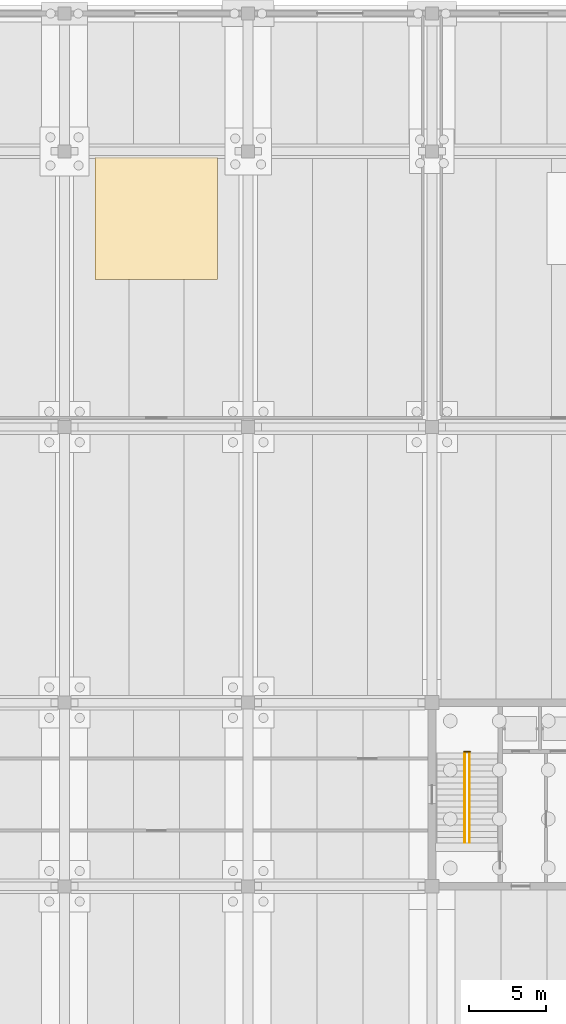
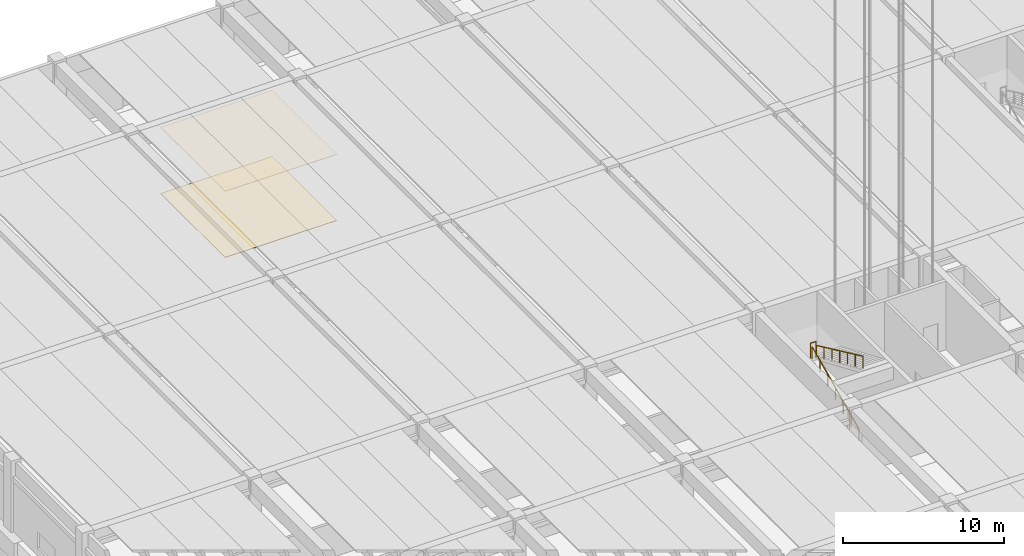
# One storey, part 55 of 59: 3 railings, 2 coverings.
"""IFC4 building model written with IfcOpenShell, lengths in metres."""

from ifc_helpers import new_model, si_unit, direction, frame, origin, origin_2d, place, context, subcontext, project, spatial, rectangle, circle, extrude, material, layer, layer_set, type_object, element, save


model = new_model("IFC4")

# Units and contexts
model_context = context("Model", 3, precision=1e-05, world=origin(), true_north=direction((0.0, 1.0)))
body_context = subcontext(model_context, "Body", "Model", "MODEL_VIEW")
ifc_project = project(units=[si_unit("LENGTHUNIT", "METRE"), si_unit("AREAUNIT", "SQUARE_METRE"), si_unit("VOLUMEUNIT", "CUBIC_METRE"), si_unit("PLANEANGLEUNIT", "RADIAN"), si_unit("MASSUNIT", "GRAM", prefix="KILO")], contexts=[model_context])

# Site, building, storey
site_placement = place(None, origin())
site = spatial("IfcSite", under=ifc_project, at=site_placement, CompositionType="ELEMENT")
building_placement = place(site_placement, origin())
building = spatial("IfcBuilding", under=site, at=building_placement, Name="Girod Span Mobility Hub", CompositionType="ELEMENT")
storey_placement = place(building_placement, origin())
storey = spatial("IfcBuildingStorey", under=building, at=storey_placement, Name="L00", CompositionType="ELEMENT", Elevation=0.0)

# Coverings
ifc_material_1 = material(Name="Perforated Mineral-Fibre Acoustic Ceiling Tile", Category="mineral")
ifc_layer_1 = layer(ifc_material_1, 0.0400390625)
ifc_layer_set_1 = layer_set([ifc_layer_1], Name="Perforated Mineral-Fibre Acoustic Ceiling Tile")
covering_type_1 = type_object("IfcCoveringType", Name="COV-CLG-800X800", PredefinedType="CEILING", material=ifc_layer_set_1)
covering_1_placement = place(storey_placement, frame((30.0, 100.625, 5.0048828125), z_axis=(0.0, 0.0, 1.0), x_axis=(1.0, 0.0, 0.0)))
element("IfcCovering", 1, at=covering_1_placement, inside=storey, type_object=covering_type_1, Name="Bicycle Store Acoustic Ceiling", PredefinedType="CEILING", context=body_context, shape_type="SweptSolid", body=[
    extrude(rectangle(XDim=8.0, YDim=8.0, at=origin_2d()), origin(), (0.0, 0.0, 1.0), 0.0400390625),
])
ifc_material_2 = material(Name="Epoxy Terrazzo and Raised Access Flooring", Category="polymer")
ifc_layer_2 = layer(ifc_material_2, 0.034912109375)
ifc_layer_set_2 = layer_set([ifc_layer_2], Name="Epoxy Terrazzo and Raised Access Flooring")
covering_type_2 = type_object("IfcCoveringType", Name="COV-FLR-800X800", PredefinedType="FLOORING", material=ifc_layer_set_2)
covering_2_placement = place(storey_placement, frame((30.0, 100.625, 0.0), z_axis=(0.0, 0.0, 1.0), x_axis=(1.0, 0.0, 0.0)))
element("IfcCovering", 2, at=covering_2_placement, inside=storey, type_object=covering_type_2, Name="Bicycle Store Floor Finish", PredefinedType="FLOORING", context=body_context, shape_type="SweptSolid", body=[
    extrude(rectangle(XDim=8.0, YDim=8.0, at=origin_2d()), origin(), (0.0, 0.0, 1.0), 0.034912109375),
])

# Railings
ifc_material_3 = material(Name="Painted Galvanised Steel", Category="steel")
ifc_layer_3 = layer(ifc_material_3, 0.06494140625)
ifc_layer_set_3 = layer_set([ifc_layer_3], Name="Painted Galvanised Steel")
railing_type_1 = type_object("IfcRailingType", Name="RL-GRD-1120", PredefinedType="GUARDRAIL", material=ifc_layer_set_3)
railing_1_placement = place(storey_placement, frame((50.10009765625, 65.7900390625, 2.699951171875)))
element("IfcRailing", 3, at=railing_1_placement, inside=storey, type_object=railing_type_1, Name="Stair ST-1 Half-Landing Well Guard L00", PredefinedType="GUARDRAIL", context=body_context, shape_type="SweptSolid", body=[
    extrude(circle(Radius=0.02392578125, at=origin_2d()), frame((0.0, 0.0, 1.09619140625), z_axis=(1.0, 0.0, 0.0), x_axis=(0.0, 1.0, 0.0)), (0.0, 0.0, 1.0), 0.39990234375),
    extrude(circle(Radius=0.02099609375, at=origin_2d()), origin(), (0.0, 0.0, 1.0), 1.072021484375),
    extrude(circle(Radius=0.02099609375, at=origin_2d()), frame((0.39990234375, 0.0, 0.0)), (0.0, 0.0, 1.0), 1.072021484375),
])
ifc_material_4 = material(Name="Painted Galvanised Steel", Category="steel")
ifc_layer_4 = layer(ifc_material_4, 0.050048828125)
ifc_layer_set_4 = layer_set([ifc_layer_4], Name="Painted Galvanised Steel")
railing_type_2 = type_object("IfcRailingType", Name="RL-HR-920", PredefinedType="HANDRAIL", material=ifc_layer_set_4)
railing_2_placement = place(storey_placement, frame((50.14990234375, 59.860107421875, 0.0)))
element("IfcRailing", 4, at=railing_2_placement, inside=storey, type_object=railing_type_2, Name="Stair ST-1 Flight 1 Handrail L00", PredefinedType="HANDRAIL", context=body_context, shape_type="SweptSolid", body=[
    extrude(circle(Radius=0.02392578125, at=origin_2d()), frame((0.0, 0.0, 0.89599609375), z_axis=(0.0, 0.90657954365, 0.422034987928), x_axis=(-1.0, 0.0, 0.0)), (0.0, 0.0, 1.0), 6.3974609375),
    extrude(circle(Radius=0.02099609375, at=origin_2d()), origin(), (0.0, 0.0, 1.0), 0.871826171875),
    extrude(circle(Radius=0.02099609375, at=origin_2d()), frame((0.0, 0.966552734375, 0.449951171875)), (0.0, 0.0, 1.0), 0.871826171875),
    extrude(circle(Radius=0.02099609375, at=origin_2d()), frame((0.0, 1.933349609375, 0.89990234375)), (0.0, 0.0, 1.0), 0.871826171875),
    extrude(circle(Radius=0.02099609375, at=origin_2d()), frame((0.0, 2.89990234375, 1.35009765625)), (0.0, 0.0, 1.0), 0.871826171875),
    extrude(circle(Radius=0.02099609375, at=origin_2d()), frame((0.0, 3.866455078125, 1.800048828125)), (0.0, 0.0, 1.0), 0.871826171875),
    extrude(circle(Radius=0.02099609375, at=origin_2d()), frame((0.0, 4.833251953125, 2.25)), (0.0, 0.0, 1.0), 0.871826171875),
    extrude(circle(Radius=0.02099609375, at=origin_2d()), frame((0.0, 5.7998046875, 2.699951171875)), (0.0, 0.0, 1.0), 0.871826171875),
])
railing_3_placement = place(storey_placement, frame((50.449951171875, 65.659912109375, 2.699951171875)))
element("IfcRailing", 5, at=railing_3_placement, inside=storey, type_object=railing_type_2, Name="Stair ST-1 Flight 2 Handrail L00", PredefinedType="HANDRAIL", context=body_context, shape_type="SweptSolid", body=[
    extrude(circle(Radius=0.02392578125, at=origin_2d()), frame((0.0, 0.0, 0.89599609375), z_axis=(0.0, -0.90657954365, 0.422034987928), x_axis=(1.0, 0.0, 0.0)), (0.0, 0.0, 1.0), 6.3974609375),
    extrude(circle(Radius=0.02099609375, at=origin_2d()), origin(), (0.0, 0.0, 1.0), 0.871826171875),
    extrude(circle(Radius=0.02099609375, at=origin_2d()), frame((0.0, -0.966552734375, 0.449951171875)), (0.0, 0.0, 1.0), 0.871826171875),
    extrude(circle(Radius=0.02099609375, at=origin_2d()), frame((0.0, -1.933349609375, 0.89990234375)), (0.0, 0.0, 1.0), 0.871826171875),
    extrude(circle(Radius=0.02099609375, at=origin_2d()), frame((0.0, -2.89990234375, 1.35009765625)), (0.0, 0.0, 1.0), 0.871826171875),
    extrude(circle(Radius=0.02099609375, at=origin_2d()), frame((0.0, -3.866455078125, 1.800048828125)), (0.0, 0.0, 1.0), 0.871826171875),
    extrude(circle(Radius=0.02099609375, at=origin_2d()), frame((0.0, -4.833251953125, 2.25)), (0.0, 0.0, 1.0), 0.871826171875),
    extrude(circle(Radius=0.02099609375, at=origin_2d()), frame((0.0, -5.7998046875, 2.699951171875)), (0.0, 0.0, 1.0), 0.871826171875),
])

save(model, "model.ifc")
